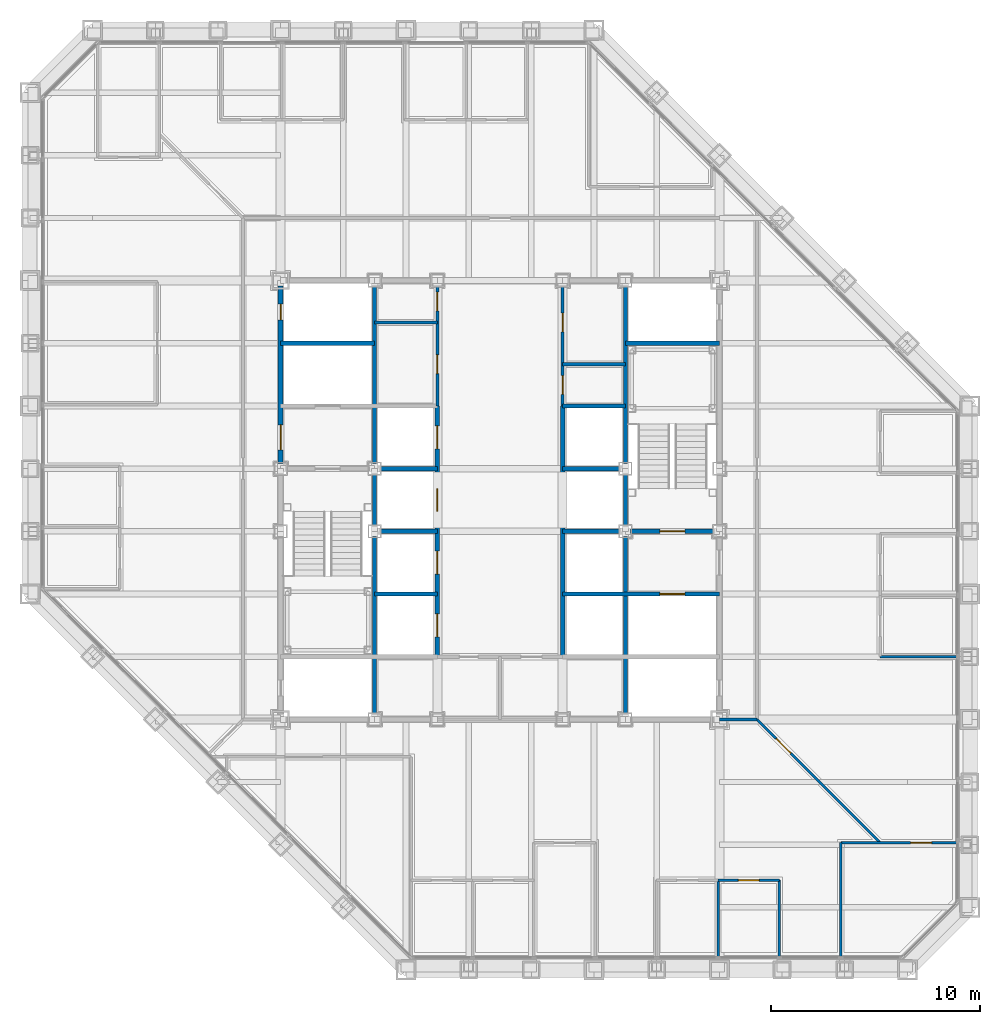
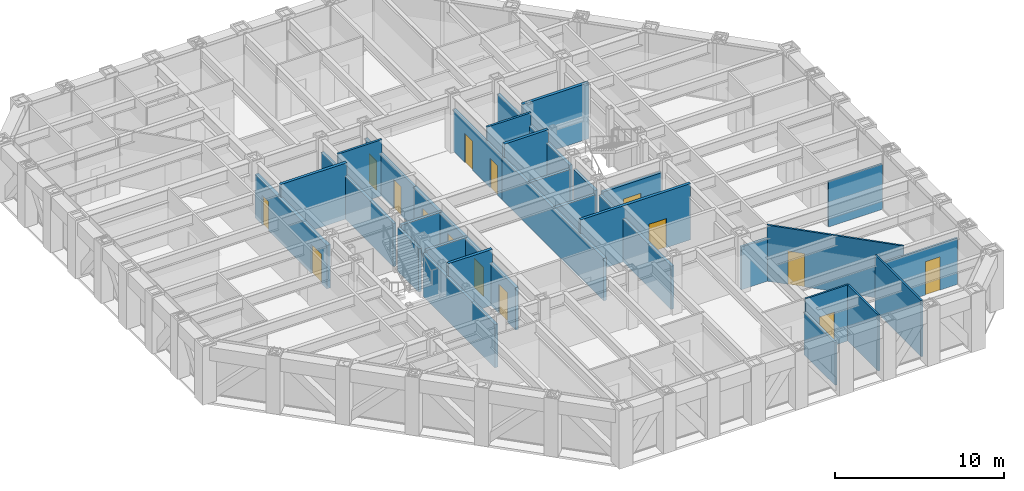
# One storey, part 11 of 17: 31 walls, 15 doors, 15 openings.
"""IFC4 building model written with IfcOpenShell, lengths in metres."""

import ifcopenshell
import ifcopenshell.guid

model = None  # the IFC model being written
_history = None  # IfcOwnerHistory: only IFC2X3 demands one
_inside = {}  # id of a spatial element -> (the spatial element, [elements in it])
_under = {}  # id of a project, library or spatial element -> (it, [spatial elements below it])
_declared = {}  # id of a project -> (the project, [libraries it declares])
_typed = {}  # id of a type object -> (the type object, [elements of that type])
_made_of = {}  # id of a material, layer set ... -> (it, [elements and type objects made of it])


def new_model(schema):
    """Start an empty IFC model of exactly this schema.

    Asked for "IFC4X3", IfcOpenShell would pick the latest addendum, in which some entities
    have other attributes; the version numbers below select the first issue.
    IFC2X3 requires an IfcOwnerHistory on every rooted entity: one is made here for all.
    """
    global model, _history
    if schema == "IFC4X3":
        model = ifcopenshell.file(schema_version=(4, 3, 0, 0))
    else:
        model = ifcopenshell.file(schema=schema)
    _inside.clear()
    _under.clear()
    _declared.clear()
    _typed.clear()
    _made_of.clear()
    _history = None
    if model.schema == "IFC2X3":
        org = make("IfcOrganization", Name="unknown")
        user = make(
            "IfcPersonAndOrganization",
            ThePerson=make("IfcPerson", FamilyName="unknown"),
            TheOrganization=org,
        )
        app = make(
            "IfcApplication",
            ApplicationDeveloper=org,
            Version="unknown",
            ApplicationFullName="unknown",
            ApplicationIdentifier="unknown",
        )
        _history = make(
            "IfcOwnerHistory",
            OwningUser=user,
            OwningApplication=app,
            ChangeAction="ADDED",
            CreationDate=0,
        )
    return model


def make(cls, **values):
    """One entity of the class cls with the attributes given. An attribute that is None is left unset."""
    return model.create_entity(
        cls, **{name: value for name, value in values.items() if value is not None}
    )


def rooted(cls, **values):
    """An entity with a GlobalId (a new one), such as an element, a storey or a relation."""
    return make(cls, GlobalId=ifcopenshell.guid.new(), OwnerHistory=_history, **values)


def si_unit(unit_type, name, prefix=None):
    """IfcSIUnit, for example si_unit("LENGTHUNIT", "METRE", prefix="MILLI")."""
    return make("IfcSIUnit", UnitType=unit_type, Prefix=prefix, Name=name)


def assignment(units):
    """IfcUnitAssignment: the units of a project."""
    return None if units is None else make("IfcUnitAssignment", Units=units)


def point(xyz):
    """IfcCartesianPoint."""
    return None if xyz is None else make("IfcCartesianPoint", Coordinates=xyz)


def direction(xyz):
    """IfcDirection."""
    return None if xyz is None else make("IfcDirection", DirectionRatios=xyz)


def frame(location, z_axis=None, x_axis=None):
    """IfcAxis2Placement3D, a coordinate frame: its origin and axes. An axis left out is left unset."""
    return make(
        "IfcAxis2Placement3D",
        Location=point(location),
        Axis=direction(z_axis),
        RefDirection=direction(x_axis),
    )


def frame_2d(location, x_axis=None):
    """IfcAxis2Placement2D, a coordinate frame in the plane: its origin and x axis."""
    return make(
        "IfcAxis2Placement2D", Location=point(location), RefDirection=direction(x_axis)
    )


def origin():
    """The frame at (0, 0, 0) with its axes left unset."""
    return frame((0.0, 0.0, 0.0))


def place(relative_to, where):
    """IfcLocalPlacement: puts the frame where relative to a parent placement (None: the world)."""
    return make(
        "IfcLocalPlacement", PlacementRelTo=relative_to, RelativePlacement=where
    )


def context(
    kind, dimensions, precision=None, world=None, true_north=None, identifier=None
):
    """IfcGeometricRepresentationContext, for example the 3D "Model" context."""
    return make(
        "IfcGeometricRepresentationContext",
        ContextIdentifier=identifier,
        ContextType=kind,
        CoordinateSpaceDimension=dimensions,
        Precision=precision,
        WorldCoordinateSystem=world,
        TrueNorth=true_north,
    )


def subcontext(parent, identifier, kind, view, scale=None):
    """IfcGeometricRepresentationSubContext, for example "Body" below "Model"."""
    return make(
        "IfcGeometricRepresentationSubContext",
        ContextIdentifier=identifier,
        ContextType=kind,
        ParentContext=parent,
        TargetScale=scale,
        TargetView=view,
    )


def project(units=None, contexts=None):
    """IfcProject with its units and contexts."""
    return rooted(
        "IfcProject",
        Name="project",
        RepresentationContexts=contexts,
        UnitsInContext=assignment(units),
    )


def spatial(cls, under=None, at=None, **own):
    """A site, building, storey or space (cls), placed at a placement, below another one or the project."""
    s = rooted(cls, ObjectPlacement=at, **own)
    if under is not None:
        _under.setdefault(under.id(), (under, []))[1].append(s)
    return s


def profile(cls, at=None, kind="AREA", **sizes):
    """A parametric profile (cls). Its sizes go by their IFC names, for example OverallWidth=200.0."""
    return make(cls, ProfileType=kind, Position=at, **sizes)


def rectangle(**sizes):
    """IfcRectangleProfileDef."""
    return profile("IfcRectangleProfileDef", **sizes)


def extrude(swept, where, along, depth):
    """IfcExtrudedAreaSolid: the profile swept, set in the frame where, extruded along a direction by depth."""
    return make(
        "IfcExtrudedAreaSolid",
        SweptArea=swept,
        Position=where,
        ExtrudedDirection=direction(along),
        Depth=depth,
    )


def shape(context_of_items, identifier, shape_type, items):
    """IfcShapeRepresentation: the items that make up one representation, for example the "Body"."""
    return make(
        "IfcShapeRepresentation",
        ContextOfItems=context_of_items,
        RepresentationIdentifier=identifier,
        RepresentationType=shape_type,
        Items=items,
    )


def material(Name=None, Category=None):
    """IfcMaterial."""
    return make("IfcMaterial", Name=Name, Category=Category)


def layer(
    of_material, thickness, ventilated=None, Name=None, Category=None, Priority=None
):
    """IfcMaterialLayer: one layer of a wall or slab, of a material (None: an air gap)."""
    return make(
        "IfcMaterialLayer",
        Material=of_material,
        LayerThickness=thickness,
        IsVentilated=ventilated,
        Name=Name,
        Category=Category,
        Priority=Priority,
    )


def layer_set(layers, Name=None):
    """IfcMaterialLayerSet."""
    return make("IfcMaterialLayerSet", MaterialLayers=layers, LayerSetName=Name)


def made_of(thing, what):
    """Note that an element or type object is made of a material, layer set ...; save() writes the relation."""
    if what is not None:
        _made_of.setdefault(what.id(), (what, []))[1].append(thing)
    return thing


def type_object(cls, material=None, **own):
    """A type object (cls), such as IfcWallType, which elements share."""
    return made_of(rooted(cls, **own), material)


def element(
    cls,
    number,
    at=None,
    inside=None,
    cuts=None,
    type_object=None,
    material=None,
    context=None,
    identifier="Body",
    shape_type=None,
    held_by="IfcProductDefinitionShape",
    body=None,
    shapes=None,
    **own,
):
    """One element of the class cls, such as IfcWall. Its Tag is "e" and its number.

    at: its placement. inside: the storey or other place that contains it. cuts: it is an
    opening in that element (IfcRelVoidsElement). A single representation is given by context,
    identifier, shape_type and body (its items); several are given by shapes. held_by: the class
    of the entity that holds the representations. save() writes the other relations.
    """
    e = rooted(cls, Tag="e%d" % number, ObjectPlacement=at, **own)
    if body is not None:
        shapes = [shape(context, identifier, shape_type, body)]
    if shapes is not None:
        e.Representation = make(held_by, Representations=shapes)
    if inside is not None:
        _inside.setdefault(inside.id(), (inside, []))[1].append(e)
    if cuts is not None:
        rooted(
            "IfcRelVoidsElement", RelatingBuildingElement=cuts, RelatedOpeningElement=e
        )
    if type_object is not None:
        _typed.setdefault(type_object.id(), (type_object, []))[1].append(e)
    return made_of(e, material)


def fill(opening, filler):
    """IfcRelFillsElement: the door or window that sits in an opening."""
    return rooted(
        "IfcRelFillsElement",
        RelatingOpeningElement=opening,
        RelatedBuildingElement=filler,
    )


def aggregate(whole, parts):
    """IfcRelAggregates: a whole, such as a stair, and the parts it consists of."""
    return rooted("IfcRelAggregates", RelatingObject=whole, RelatedObjects=parts)


def save(model, path):
    """Write the relations noted so far, then the file.

    IfcRelAggregates (storeys below a building ...), IfcRelContainedInSpatialStructure (elements
    in a storey), IfcRelDefinesByType, IfcRelAssociatesMaterial and IfcRelDeclares: one each for
    every whole, place, type object, material and project.
    """
    for whole, parts in _under.values():
        aggregate(whole, parts)
    for where, things in _inside.values():
        rooted(
            "IfcRelContainedInSpatialStructure",
            RelatedElements=things,
            RelatingStructure=where,
        )
    for kind, things in _typed.values():
        rooted("IfcRelDefinesByType", RelatedObjects=things, RelatingType=kind)
    for what, things in _made_of.values():
        rooted("IfcRelAssociatesMaterial", RelatedObjects=things, RelatingMaterial=what)
    for by, libraries in _declared.values():
        rooted("IfcRelDeclares", RelatingContext=by, RelatedDefinitions=libraries)
    model.write(path)


model = new_model("IFC4")

# Units and contexts
model_context = context("Model", 3, precision=1e-05, world=origin(), true_north=direction((0.0, 1.0)))
body_context = subcontext(model_context, "Body", "Model", "MODEL_VIEW")
ifc_project = project(units=[si_unit("LENGTHUNIT", "METRE"), si_unit("AREAUNIT", "SQUARE_METRE"), si_unit("VOLUMEUNIT", "CUBIC_METRE"), si_unit("PLANEANGLEUNIT", "RADIAN"), si_unit("MASSUNIT", "GRAM", prefix="KILO")], contexts=[model_context])

# Site, building, storey
site_placement = place(None, origin())
site = spatial("IfcSite", under=ifc_project, at=site_placement, CompositionType="ELEMENT")
building_placement = place(site_placement, origin())
building = spatial("IfcBuilding", under=site, at=building_placement, Name="Chuquiago Exchange Tower", CompositionType="ELEMENT")
storey_placement = place(building_placement, frame((0.0, 0.0, 169.800048828125)))
storey = spatial("IfcBuildingStorey", under=building, at=storey_placement, Name="L37", CompositionType="ELEMENT", Elevation=169.800048828125)

# Wall, openings, doors
ifc_material_1 = material(Name="Concrete masonry, fully grouted", Category="masonry")
ifc_layer_1 = layer(ifc_material_1, 0.25)
ifc_layer_set_1 = layer_set([ifc_layer_1], Name="W1 core wall 250")
wall_type_1 = type_object("IfcWallType", Name="W1 core wall 250", PredefinedType="SOLIDWALL", material=ifc_layer_set_1)
wall_1_placement = place(storey_placement, frame((12.0, 24.25, 0.0), z_axis=(0.0, 0.0, 1.0), x_axis=(0.0, 1.0, 0.0)))
wall_1 = element("IfcWall", 1, at=wall_1_placement, inside=storey, type_object=wall_type_1, Name="CW-L37-00-2", PredefinedType="SOLIDWALL", context=body_context, shape_type="SweptSolid", body=[
    extrude(rectangle(XDim=8.5, YDim=0.25, at=frame_2d((4.25, 0.0))), origin(), (0.0, 0.0, 1.0), 3.11279296875),
])
opening_1_placement = place(wall_1_placement, frame((0.64990234375, 0.0, 0.0)))
opening_1 = element("IfcOpeningElement", 2, at=opening_1_placement, cuts=wall_1, Name="Opening L37-002", PredefinedType="OPENING", context=body_context, shape_type="SweptSolid", body=[
    extrude(rectangle(XDim=1.199951171875, YDim=2.10009765625, at=frame_2d((0.60009765625, 1.050048828125))), frame((0.0, 0.135009765625, 0.0), z_axis=(0.0, -1.0, 0.0), x_axis=(1.0, 0.0, 0.0)), (0.0, 0.0, 1.0), 0.27001953125),
])
opening_2_placement = place(wall_1_placement, frame((6.875, 0.0, 0.0)))
opening_2 = element("IfcOpeningElement", 3, at=opening_2_placement, cuts=wall_1, Name="Opening L37-008", PredefinedType="OPENING", context=body_context, shape_type="SweptSolid", body=[
    extrude(rectangle(XDim=0.75, YDim=2.10009765625, at=frame_2d((0.375, 1.050048828125))), frame((0.0, 0.135009765625, 0.0), z_axis=(0.0, -1.0, 0.0), x_axis=(1.0, 0.0, 0.0)), (0.0, 0.0, 1.0), 0.27001953125),
])
ifc_material_2 = material(Name="Steel door, painted", Category="steel")
door_type_1 = type_object("IfcDoorType", Name="D5 firefighting lobby door 1200x2100", OperationType="SINGLE_SWING_LEFT", PredefinedType="DOOR", material=ifc_material_2)
door_1_placement = place(opening_1_placement, frame((1.199951171875, 0.0, 0.0), z_axis=(0.0, 0.0, 1.0), x_axis=(-1.0, 0.0, 0.0)))
door_1 = element("IfcDoor", 4, at=door_1_placement, inside=storey, type_object=door_type_1, Name="Firefighting lobby 1 door", OperationType="SINGLE_SWING_RIGHT", OverallHeight=2.10009765625, OverallWidth=1.199951171875, PredefinedType="DOOR", context=body_context, shape_type="SweptSolid", body=[
    extrude(rectangle(XDim=1.199951171875, YDim=2.10009765625, at=frame_2d((0.60009765625, 1.050048828125))), frame((0.0, 0.02490234375, 0.0), z_axis=(0.0, -1.0, 0.0), x_axis=(1.0, 0.0, 0.0)), (0.0, 0.0, 1.0), 0.050048828125),
])
fill(opening_1, door_1)
ifc_material_3 = material(Name="Steel door, painted", Category="steel")
door_type_2 = type_object("IfcDoorType", Name="D6 riser access door 750x2100", OperationType="SINGLE_SWING_LEFT", PredefinedType="DOOR", material=ifc_material_3)
door_2_placement = place(opening_2_placement, frame((0.75, 0.0, 0.0), z_axis=(0.0, 0.0, 1.0), x_axis=(-1.0, 0.0, 0.0)))
door_2 = element("IfcDoor", 5, at=door_2_placement, inside=storey, type_object=door_type_2, Name="Riser RW2 door", OperationType="SINGLE_SWING_LEFT", OverallHeight=2.10009765625, OverallWidth=0.75, PredefinedType="DOOR", context=body_context, shape_type="SweptSolid", body=[
    extrude(rectangle(XDim=0.75, YDim=2.10009765625, at=frame_2d((0.375, 1.050048828125))), frame((0.0, 0.02490234375, 0.0), z_axis=(0.0, -1.0, 0.0), x_axis=(1.0, 0.0, 0.0)), (0.0, 0.0, 1.0), 0.050048828125),
])
fill(opening_2, door_2)

# Walls
ifc_material_4 = material(Name="Gypsum board on steel studs, acoustic insulation", Category="steel")
ifc_layer_2 = layer(ifc_material_4, 0.14990234375)
ifc_layer_set_2 = layer_set([ifc_layer_2], Name="W11 corridor wall 150")
wall_type_2 = type_object("IfcWallType", Name="W11 corridor wall 150", PredefinedType="PARTITIONING", material=ifc_layer_set_2)
wall_2_placement = place(storey_placement, frame((33.0, 12.0, 0.0), z_axis=(0.0, 0.0, 1.0), x_axis=(1.0, 0.0, 0.0)))
element("IfcWall", 6, at=wall_2_placement, inside=storey, type_object=wall_type_2, Name="PW-L37-GES0", PredefinedType="PARTITIONING", context=body_context, shape_type="SweptSolid", body=[
    extrude(rectangle(XDim=1.800048828125, YDim=0.14990234375, at=frame_2d((0.89990234375, 0.0))), origin(), (0.0, 0.0, 1.0), 3.092529296875),
])
ifc_material_5 = material(Name="Concrete masonry, fully grouted", Category="masonry")
ifc_layer_3 = layer(ifc_material_5, 0.199951171875)
ifc_layer_set_3 = layer_set([ifc_layer_3], Name="W2 shaft wall 200")
wall_type_3 = type_object("IfcWallType", Name="W2 shaft wall 200", PredefinedType="SOLIDWALL", material=ifc_layer_set_3)
for number, where, z_axis, x_axis, name in (
    (7, (16.75, 24.0, 0.0), (0.0, 0.0, 1.0), (1.0, 0.0, 0.0), "CW-L37-05-1"),
    (8, (25.5, 24.0, 0.0), (0.0, 0.0, 1.0), (1.0, 0.0, 0.0), "CW-L37-06-0"),
):
    element("IfcWall", number, at=place(storey_placement, frame(where, z_axis=z_axis, x_axis=x_axis)), inside=storey, type_object=wall_type_3, Name=name, PredefinedType="SOLIDWALL", context=body_context, shape_type="SweptSolid", body=[
        extrude(rectangle(XDim=2.75, YDim=0.199951171875, at=frame_2d((1.375, 0.0))), origin(), (0.0, 0.0, 1.0), 3.08984375),
    ])
wall_3_placement = place(storey_placement, frame((25.5, 27.0, 0.0), z_axis=(0.0, 0.0, 1.0), x_axis=(1.0, 0.0, 0.0)))
element("IfcWall", 9, at=wall_3_placement, inside=storey, type_object=wall_type_3, Name="CW-L37-08-0", PredefinedType="SOLIDWALL", context=body_context, shape_type="SweptSolid", body=[
    extrude(rectangle(XDim=3.0, YDim=0.199951171875, at=frame_2d((1.5, 0.0))), origin(), (0.0, 0.0, 1.0), 4.0400390625),
])
for number, where, z_axis, x_axis, name in (
    (10, (12.0, 30.0, 0.0), (0.0, 0.0, 1.0), (1.0, 0.0, 0.0), "CW-L37-09-0"),
    (11, (28.5, 30.0, 0.0), (0.0, 0.0, 1.0), (1.0, 0.0, 0.0), "CW-L37-10-0"),
):
    element("IfcWall", number, at=place(storey_placement, frame(where, z_axis=z_axis, x_axis=x_axis)), inside=storey, type_object=wall_type_3, Name=name, PredefinedType="SOLIDWALL", context=body_context, shape_type="SweptSolid", body=[
        extrude(rectangle(XDim=4.5, YDim=0.199951171875, at=frame_2d((2.25, 0.0))), origin(), (0.0, 0.0, 1.0), 4.0400390625),
    ])
wall_4_placement = place(storey_placement, frame((16.5, 12.25, 0.0), z_axis=(0.0, 0.0, 1.0), x_axis=(0.0, 1.0, 0.0)))
element("IfcWall", 12, at=wall_4_placement, inside=storey, type_object=wall_type_3, Name="CW-L37-13-0", PredefinedType="SOLIDWALL", context=body_context, shape_type="SweptSolid", body=[
    extrude(rectangle(XDim=8.5, YDim=0.199951171875, at=frame_2d((4.25, 0.0))), origin(), (0.0, 0.0, 1.0), 3.11279296875),
])
wall_5_placement = place(storey_placement, frame((16.5, 21.25, 0.0), z_axis=(0.0, 0.0, 1.0), x_axis=(0.0, 1.0, 0.0)))
element("IfcWall", 13, at=wall_5_placement, inside=storey, type_object=wall_type_3, Name="CW-L37-13-1", PredefinedType="SOLIDWALL", context=body_context, shape_type="SweptSolid", body=[
    extrude(rectangle(XDim=2.5, YDim=0.199951171875, at=frame_2d((1.25, 0.0))), origin(), (0.0, 0.0, 1.0), 3.11279296875),
])
wall_6_placement = place(storey_placement, frame((16.5, 24.25, 0.0), z_axis=(0.0, 0.0, 1.0), x_axis=(0.0, 1.0, 0.0)))
element("IfcWall", 14, at=wall_6_placement, inside=storey, type_object=wall_type_3, Name="CW-L37-13-2", PredefinedType="SOLIDWALL", context=body_context, shape_type="SweptSolid", body=[
    extrude(rectangle(XDim=8.5, YDim=0.199951171875, at=frame_2d((4.25, 0.0))), origin(), (0.0, 0.0, 1.0), 3.11279296875),
])
wall_7_placement = place(storey_placement, frame((16.5, 18.0, 0.0), z_axis=(0.0, 0.0, 1.0), x_axis=(1.0, 0.0, 0.0)))
element("IfcWall", 15, at=wall_7_placement, inside=storey, type_object=wall_type_3, Name="CW-L37-14-0", PredefinedType="SOLIDWALL", context=body_context, shape_type="SweptSolid", body=[
    extrude(rectangle(XDim=3.0, YDim=0.199951171875, at=frame_2d((1.5, 0.0))), origin(), (0.0, 0.0, 1.0), 4.0400390625),
])

# Wall, opening, door
wall_8_placement = place(storey_placement, frame((25.5, 18.0, 0.0), z_axis=(0.0, 0.0, 1.0), x_axis=(1.0, 0.0, 0.0)))
wall_8 = element("IfcWall", 16, at=wall_8_placement, inside=storey, type_object=wall_type_3, Name="CW-L37-15-0", PredefinedType="SOLIDWALL", context=body_context, shape_type="SweptSolid", body=[
    extrude(rectangle(XDim=7.5, YDim=0.199951171875, at=frame_2d((3.75, 0.0))), origin(), (0.0, 0.0, 1.0), 4.0400390625),
])
opening_3_placement = place(wall_8_placement, frame((4.64990234375, 0.0, 0.0)))
opening_3 = element("IfcOpeningElement", 17, at=opening_3_placement, cuts=wall_8, Name="Opening L37-006", PredefinedType="OPENING", context=body_context, shape_type="SweptSolid", body=[
    extrude(rectangle(XDim=1.199951171875, YDim=2.10009765625, at=frame_2d((0.60009765625, 1.050048828125))), frame((0.0, 0.10986328125, 0.0), z_axis=(0.0, -1.0, 0.0), x_axis=(1.0, 0.0, 0.0)), (0.0, 0.0, 1.0), 0.219970703125),
])
ifc_material_6 = material(Name="Stainless steel lift landing door", Category="steel")
door_type_3 = type_object("IfcDoorType", Name="LD2 firefighting lift landing door 1200x2100", OperationType="DOUBLE_DOOR_SLIDING", PredefinedType="DOOR", material=ifc_material_6)
door_3_placement = place(opening_3_placement, origin())
door_3 = element("IfcDoor", 18, at=door_3_placement, inside=storey, type_object=door_type_3, Name="Firefighting lift FL2 landing door", OperationType="DOUBLE_DOOR_SLIDING", OverallHeight=2.10009765625, OverallWidth=1.199951171875, PredefinedType="DOOR", context=body_context, shape_type="SweptSolid", body=[
    extrude(rectangle(XDim=1.199951171875, YDim=2.10009765625, at=frame_2d((0.60009765625, 1.050048828125))), frame((0.0, 0.02490234375, 0.0), z_axis=(0.0, -1.0, 0.0), x_axis=(1.0, 0.0, 0.0)), (0.0, 0.0, 1.0), 0.050048828125),
])
fill(opening_3, door_3)

# Walls
for number, where, z_axis, x_axis, name in (
    (19, (16.75, 21.0, 0.0), (0.0, 0.0, 1.0), (1.0, 0.0, 0.0), "CW-L37-16-0"),
    (20, (25.5, 21.0, 0.0), (0.0, 0.0, 1.0), (1.0, 0.0, 0.0), "CW-L37-17-0"),
):
    element("IfcWall", number, at=place(storey_placement, frame(where, z_axis=z_axis, x_axis=x_axis)), inside=storey, type_object=wall_type_3, Name=name, PredefinedType="SOLIDWALL", context=body_context, shape_type="SweptSolid", body=[
        extrude(rectangle(XDim=2.75, YDim=0.199951171875, at=frame_2d((1.375, 0.0))), origin(), (0.0, 0.0, 1.0), 3.08984375),
    ])

# Wall, opening, door
wall_9_placement = place(storey_placement, frame((28.75, 21.0, 0.0), z_axis=(0.0, 0.0, 1.0), x_axis=(1.0, 0.0, 0.0)))
wall_9 = element("IfcWall", 21, at=wall_9_placement, inside=storey, type_object=wall_type_3, Name="CW-L37-17-1", PredefinedType="SOLIDWALL", context=body_context, shape_type="SweptSolid", body=[
    extrude(rectangle(XDim=4.0, YDim=0.199951171875, at=frame_2d((2.0, 0.0))), origin(), (0.0, 0.0, 1.0), 3.08984375),
])
opening_4_placement = place(wall_9_placement, frame((1.39990234375, 0.0, 0.0)))
opening_4 = element("IfcOpeningElement", 22, at=opening_4_placement, cuts=wall_9, Name="Opening L37-003", PredefinedType="OPENING", context=body_context, shape_type="SweptSolid", body=[
    extrude(rectangle(XDim=1.199951171875, YDim=2.10009765625, at=frame_2d((0.60009765625, 1.050048828125))), frame((0.0, 0.10986328125, 0.0), z_axis=(0.0, -1.0, 0.0), x_axis=(1.0, 0.0, 0.0)), (0.0, 0.0, 1.0), 0.219970703125),
])
ifc_material_7 = material(Name="Steel door, painted", Category="steel")
door_type_4 = type_object("IfcDoorType", Name="D4 stair door 1200x2100", OperationType="SINGLE_SWING_LEFT", PredefinedType="DOOR", material=ifc_material_7)
door_4_placement = place(opening_4_placement, origin())
door_4 = element("IfcDoor", 23, at=door_4_placement, inside=storey, type_object=door_type_4, Name="Stair ST2 door", OperationType="SINGLE_SWING_LEFT", OverallHeight=2.10009765625, OverallWidth=1.199951171875, PredefinedType="DOOR", context=body_context, shape_type="SweptSolid", body=[
    extrude(rectangle(XDim=1.199951171875, YDim=2.10009765625, at=frame_2d((0.60009765625, 1.050048828125))), frame((0.0, 0.02490234375, 0.0), z_axis=(0.0, -1.0, 0.0), x_axis=(1.0, 0.0, 0.0)), (0.0, 0.0, 1.0), 0.050048828125),
])
fill(opening_4, door_4)

# Wall, openings, doors
wall_10_placement = place(storey_placement, frame((19.5, 15.0, 0.0), z_axis=(0.0, 0.0, 1.0), x_axis=(0.0, 1.0, 0.0)))
wall_10 = element("IfcWall", 24, at=wall_10_placement, inside=storey, type_object=wall_type_3, Name="CW-L37-19-0", PredefinedType="SOLIDWALL", context=body_context, shape_type="SweptSolid", body=[
    extrude(rectangle(XDim=12.0, YDim=0.199951171875, at=frame_2d((6.0, 0.0))), origin(), (0.0, 0.0, 1.0), 3.064453125),
])
opening_5_placement = place(wall_10_placement, frame((0.949951171875, 0.0, 0.0)))
opening_5 = element("IfcOpeningElement", 25, at=opening_5_placement, cuts=wall_10, Name="Opening L37-017", PredefinedType="OPENING", context=body_context, shape_type="SweptSolid", body=[
    extrude(rectangle(XDim=1.10009765625, YDim=2.10009765625, at=frame_2d((0.550048828125, 1.050048828125))), frame((0.0, 0.10986328125, 0.0), z_axis=(0.0, -1.0, 0.0), x_axis=(1.0, 0.0, 0.0)), (0.0, 0.0, 1.0), 0.219970703125),
])
opening_6_placement = place(wall_10_placement, frame((3.949951171875, 0.0, 0.0)))
opening_6 = element("IfcOpeningElement", 26, at=opening_6_placement, cuts=wall_10, Name="Opening L37-018", PredefinedType="OPENING", context=body_context, shape_type="SweptSolid", body=[
    extrude(rectangle(XDim=1.10009765625, YDim=2.10009765625, at=frame_2d((0.550048828125, 1.050048828125))), frame((0.0, 0.10986328125, 0.0), z_axis=(0.0, -1.0, 0.0), x_axis=(1.0, 0.0, 0.0)), (0.0, 0.0, 1.0), 0.219970703125),
])
opening_7_placement = place(wall_10_placement, frame((6.949951171875, 0.0, 0.0)))
opening_7 = element("IfcOpeningElement", 27, at=opening_7_placement, cuts=wall_10, Name="Opening L37-019", PredefinedType="OPENING", context=body_context, shape_type="SweptSolid", body=[
    extrude(rectangle(XDim=1.10009765625, YDim=2.10009765625, at=frame_2d((0.550048828125, 1.050048828125))), frame((0.0, 0.10986328125, 0.0), z_axis=(0.0, -1.0, 0.0), x_axis=(1.0, 0.0, 0.0)), (0.0, 0.0, 1.0), 0.219970703125),
])
opening_8_placement = place(wall_10_placement, frame((9.949951171875, 0.0, 0.0)))
opening_8 = element("IfcOpeningElement", 28, at=opening_8_placement, cuts=wall_10, Name="Opening L37-020", PredefinedType="OPENING", context=body_context, shape_type="SweptSolid", body=[
    extrude(rectangle(XDim=1.10009765625, YDim=2.10009765625, at=frame_2d((0.550048828125, 1.050048828125))), frame((0.0, 0.10986328125, 0.0), z_axis=(0.0, -1.0, 0.0), x_axis=(1.0, 0.0, 0.0)), (0.0, 0.0, 1.0), 0.219970703125),
])
ifc_material_8 = material(Name="Stainless steel lift landing door", Category="steel")
door_type_5 = type_object("IfcDoorType", Name="LD1 lift landing door 1100x2100", OperationType="DOUBLE_DOOR_SLIDING", PredefinedType="DOOR", material=ifc_material_8)
door_5_placement = place(opening_5_placement, origin())
door_5 = element("IfcDoor", 29, at=door_5_placement, inside=storey, type_object=door_type_5, Name="Lift LB1 landing door", OperationType="DOUBLE_DOOR_SLIDING", OverallHeight=2.10009765625, OverallWidth=1.10009765625, PredefinedType="DOOR", context=body_context, shape_type="SweptSolid", body=[
    extrude(rectangle(XDim=1.10009765625, YDim=2.10009765625, at=frame_2d((0.550048828125, 1.050048828125))), frame((0.0, 0.02490234375, 0.0), z_axis=(0.0, -1.0, 0.0), x_axis=(1.0, 0.0, 0.0)), (0.0, 0.0, 1.0), 0.050048828125),
])
fill(opening_5, door_5)
door_6_placement = place(opening_6_placement, origin())
door_6 = element("IfcDoor", 30, at=door_6_placement, inside=storey, type_object=door_type_5, Name="Lift LB2 landing door", OperationType="DOUBLE_DOOR_SLIDING", OverallHeight=2.10009765625, OverallWidth=1.10009765625, PredefinedType="DOOR", context=body_context, shape_type="SweptSolid", body=[
    extrude(rectangle(XDim=1.10009765625, YDim=2.10009765625, at=frame_2d((0.550048828125, 1.050048828125))), frame((0.0, 0.02490234375, 0.0), z_axis=(0.0, -1.0, 0.0), x_axis=(1.0, 0.0, 0.0)), (0.0, 0.0, 1.0), 0.050048828125),
])
fill(opening_6, door_6)
door_7_placement = place(opening_7_placement, origin())
door_7 = element("IfcDoor", 31, at=door_7_placement, inside=storey, type_object=door_type_5, Name="Lift LB3 landing door", OperationType="DOUBLE_DOOR_SLIDING", OverallHeight=2.10009765625, OverallWidth=1.10009765625, PredefinedType="DOOR", context=body_context, shape_type="SweptSolid", body=[
    extrude(rectangle(XDim=1.10009765625, YDim=2.10009765625, at=frame_2d((0.550048828125, 1.050048828125))), frame((0.0, 0.02490234375, 0.0), z_axis=(0.0, -1.0, 0.0), x_axis=(1.0, 0.0, 0.0)), (0.0, 0.0, 1.0), 0.050048828125),
])
fill(opening_7, door_7)
door_8_placement = place(opening_8_placement, origin())
door_8 = element("IfcDoor", 32, at=door_8_placement, inside=storey, type_object=door_type_5, Name="Lift LB4 landing door", OperationType="DOUBLE_DOOR_SLIDING", OverallHeight=2.10009765625, OverallWidth=1.10009765625, PredefinedType="DOOR", context=body_context, shape_type="SweptSolid", body=[
    extrude(rectangle(XDim=1.10009765625, YDim=2.10009765625, at=frame_2d((0.550048828125, 1.050048828125))), frame((0.0, 0.02490234375, 0.0), z_axis=(0.0, -1.0, 0.0), x_axis=(1.0, 0.0, 0.0)), (0.0, 0.0, 1.0), 0.050048828125),
])
fill(opening_8, door_8)

# Walls
wall_11_placement = place(storey_placement, frame((25.5, 15.0, 0.0), z_axis=(0.0, 0.0, 1.0), x_axis=(0.0, 1.0, 0.0)))
element("IfcWall", 33, at=wall_11_placement, inside=storey, type_object=wall_type_3, Name="CW-L37-22-0", PredefinedType="SOLIDWALL", context=body_context, shape_type="SweptSolid", body=[
    extrude(rectangle(XDim=12.0, YDim=0.199951171875, at=frame_2d((6.0, 0.0))), origin(), (0.0, 0.0, 1.0), 3.064453125),
])
wall_12_placement = place(storey_placement, frame((28.5, 12.25, 0.0), z_axis=(0.0, 0.0, 1.0), x_axis=(0.0, 1.0, 0.0)))
element("IfcWall", 34, at=wall_12_placement, inside=storey, type_object=wall_type_3, Name="CW-L37-24-0", PredefinedType="SOLIDWALL", context=body_context, shape_type="SweptSolid", body=[
    extrude(rectangle(XDim=8.5, YDim=0.199951171875, at=frame_2d((4.25, 0.0))), origin(), (0.0, 0.0, 1.0), 3.11279296875),
])
wall_13_placement = place(storey_placement, frame((28.5, 21.25, 0.0), z_axis=(0.0, 0.0, 1.0), x_axis=(0.0, 1.0, 0.0)))
element("IfcWall", 35, at=wall_13_placement, inside=storey, type_object=wall_type_3, Name="CW-L37-24-1", PredefinedType="SOLIDWALL", context=body_context, shape_type="SweptSolid", body=[
    extrude(rectangle(XDim=2.5, YDim=0.199951171875, at=frame_2d((1.25, 0.0))), origin(), (0.0, 0.0, 1.0), 3.11279296875),
])
wall_14_placement = place(storey_placement, frame((28.5, 24.25, 0.0), z_axis=(0.0, 0.0, 1.0), x_axis=(0.0, 1.0, 0.0)))
element("IfcWall", 36, at=wall_14_placement, inside=storey, type_object=wall_type_3, Name="CW-L37-24-2", PredefinedType="SOLIDWALL", context=body_context, shape_type="SweptSolid", body=[
    extrude(rectangle(XDim=8.5, YDim=0.199951171875, at=frame_2d((4.25, 0.0))), origin(), (0.0, 0.0, 1.0), 3.11279296875),
])

# Wall, openings, doors
ifc_material_9 = material(Name="Gypsum board on steel studs", Category="steel")
ifc_layer_4 = layer(ifc_material_9, 0.14990234375)
ifc_layer_set_4 = layer_set([ifc_layer_4], Name="W3 core partition 150")
wall_type_4 = type_object("IfcWallType", Name="W3 core partition 150", PredefinedType="PARTITIONING", material=ifc_layer_set_4)
wall_15_placement = place(storey_placement, frame((19.5, 27.0, 0.0), z_axis=(0.0, 0.0, 1.0), x_axis=(0.0, 1.0, 0.0)))
wall_15 = element("IfcWall", 37, at=wall_15_placement, inside=storey, type_object=wall_type_4, Name="CW-L37-20-0", PredefinedType="PARTITIONING", context=body_context, shape_type="SweptSolid", body=[
    extrude(rectangle(XDim=5.75, YDim=0.14990234375, at=frame_2d((2.875, 0.0))), origin(), (0.0, 0.0, 1.0), 3.064453125),
])
opening_9_placement = place(wall_15_placement, frame((1.550048828125, 0.0, 0.0)))
opening_9 = element("IfcOpeningElement", 38, at=opening_9_placement, cuts=wall_15, Name="Opening L37-011", PredefinedType="OPENING", context=body_context, shape_type="SweptSolid", body=[
    extrude(rectangle(XDim=0.89990234375, YDim=2.10009765625, at=frame_2d((0.449951171875, 1.050048828125))), frame((0.0, 0.0849609375, 0.0), z_axis=(0.0, -1.0, 0.0), x_axis=(1.0, 0.0, 0.0)), (0.0, 0.0, 1.0), 0.169921875),
])
opening_10_placement = place(wall_15_placement, frame((4.550048828125, 0.0, 0.0)))
opening_10 = element("IfcOpeningElement", 39, at=opening_10_placement, cuts=wall_15, Name="Opening L37-012", PredefinedType="OPENING", context=body_context, shape_type="SweptSolid", body=[
    extrude(rectangle(XDim=0.89990234375, YDim=2.10009765625, at=frame_2d((0.449951171875, 1.050048828125))), frame((0.0, 0.0849609375, 0.0), z_axis=(0.0, -1.0, 0.0), x_axis=(1.0, 0.0, 0.0)), (0.0, 0.0, 1.0), 0.169921875),
])
ifc_material_10 = material(Name="Timber door, laminate faced", Category="wood")
door_type_6 = type_object("IfcDoorType", Name="D16 core room door 900x2100", OperationType="SINGLE_SWING_LEFT", PredefinedType="DOOR", material=ifc_material_10)
door_9_placement = place(opening_10_placement, origin())
door_9 = element("IfcDoor", 40, at=door_9_placement, inside=storey, type_object=door_type_6, Name="Staff shower room door", OperationType="SINGLE_SWING_RIGHT", OverallHeight=2.10009765625, OverallWidth=0.89990234375, PredefinedType="DOOR", context=body_context, shape_type="SweptSolid", body=[
    extrude(rectangle(XDim=0.89990234375, YDim=2.10009765625, at=frame_2d((0.449951171875, 1.050048828125))), frame((0.0, 0.02490234375, 0.0), z_axis=(0.0, -1.0, 0.0), x_axis=(1.0, 0.0, 0.0)), (0.0, 0.0, 1.0), 0.050048828125),
])
fill(opening_10, door_9)
ifc_material_11 = material(Name="Timber door, laminate faced", Category="wood")
door_type_7 = type_object("IfcDoorType", Name="D7 toilet door 900x2100", OperationType="SINGLE_SWING_LEFT", PredefinedType="DOOR", material=ifc_material_11)
door_10_placement = place(opening_9_placement, origin())
door_10 = element("IfcDoor", 41, at=door_10_placement, inside=storey, type_object=door_type_7, Name="Male WC door", OperationType="SINGLE_SWING_LEFT", OverallHeight=2.10009765625, OverallWidth=0.89990234375, PredefinedType="DOOR", context=body_context, shape_type="SweptSolid", body=[
    extrude(rectangle(XDim=0.89990234375, YDim=2.10009765625, at=frame_2d((0.449951171875, 1.050048828125))), frame((0.0, 0.02490234375, 0.0), z_axis=(0.0, -1.0, 0.0), x_axis=(1.0, 0.0, 0.0)), (0.0, 0.0, 1.0), 0.050048828125),
])
fill(opening_9, door_10)

wall_16_placement = place(storey_placement, frame((25.5, 27.0, 0.0), z_axis=(0.0, 0.0, 1.0), x_axis=(0.0, 1.0, 0.0)))
wall_16 = element("IfcWall", 42, at=wall_16_placement, inside=storey, type_object=wall_type_4, Name="CW-L37-23-0", PredefinedType="PARTITIONING", context=body_context, shape_type="SweptSolid", body=[
    extrude(rectangle(XDim=5.75, YDim=0.14990234375, at=frame_2d((2.875, 0.0))), origin(), (0.0, 0.0, 1.0), 3.064453125),
])
opening_11_placement = place(wall_16_placement, frame((0.550048828125, 0.0, 0.0)))
opening_11 = element("IfcOpeningElement", 43, at=opening_11_placement, cuts=wall_16, Name="Opening L37-013", PredefinedType="OPENING", context=body_context, shape_type="SweptSolid", body=[
    extrude(rectangle(XDim=0.89990234375, YDim=2.10009765625, at=frame_2d((0.449951171875, 1.050048828125))), frame((0.0, 0.0849609375, 0.0), z_axis=(0.0, -1.0, 0.0), x_axis=(1.0, 0.0, 0.0)), (0.0, 0.0, 1.0), 0.169921875),
])
opening_12_placement = place(wall_16_placement, frame((3.550048828125, 0.0, 0.0)))
opening_12 = element("IfcOpeningElement", 44, at=opening_12_placement, cuts=wall_16, Name="Opening L37-014", PredefinedType="OPENING", context=body_context, shape_type="SweptSolid", body=[
    extrude(rectangle(XDim=0.89990234375, YDim=2.10009765625, at=frame_2d((0.449951171875, 1.050048828125))), frame((0.0, 0.0849609375, 0.0), z_axis=(0.0, -1.0, 0.0), x_axis=(1.0, 0.0, 0.0)), (0.0, 0.0, 1.0), 0.169921875),
])
door_11_placement = place(opening_11_placement, frame((0.89990234375, 0.0, 0.0), z_axis=(0.0, 0.0, 1.0), x_axis=(-1.0, 0.0, 0.0)))
door_11 = element("IfcDoor", 45, at=door_11_placement, inside=storey, type_object=door_type_6, Name="First aid room door", OperationType="SINGLE_SWING_RIGHT", OverallHeight=2.10009765625, OverallWidth=0.89990234375, PredefinedType="DOOR", context=body_context, shape_type="SweptSolid", body=[
    extrude(rectangle(XDim=0.89990234375, YDim=2.10009765625, at=frame_2d((0.449951171875, 1.050048828125))), frame((0.0, 0.02490234375, 0.0), z_axis=(0.0, -1.0, 0.0), x_axis=(1.0, 0.0, 0.0)), (0.0, 0.0, 1.0), 0.050048828125),
])
fill(opening_11, door_11)
door_12_placement = place(opening_12_placement, frame((0.89990234375, 0.0, 0.0), z_axis=(0.0, 0.0, 1.0), x_axis=(-1.0, 0.0, 0.0)))
door_12 = element("IfcDoor", 46, at=door_12_placement, inside=storey, type_object=door_type_7, Name="Female WC door", OperationType="SINGLE_SWING_LEFT", OverallHeight=2.10009765625, OverallWidth=0.89990234375, PredefinedType="DOOR", context=body_context, shape_type="SweptSolid", body=[
    extrude(rectangle(XDim=0.89990234375, YDim=2.10009765625, at=frame_2d((0.449951171875, 1.050048828125))), frame((0.0, 0.02490234375, 0.0), z_axis=(0.0, -1.0, 0.0), x_axis=(1.0, 0.0, 0.0)), (0.0, 0.0, 1.0), 0.050048828125),
])
fill(opening_12, door_12)

# Walls
for number, where, z_axis, x_axis, name in (
    (47, (16.5, 31.0, 0.0), (0.0, 0.0, 1.0), (1.0, 0.0, 0.0), "CW-L37-WCMS"),
    (48, (25.5, 29.0, 0.0), (0.0, 0.0, 1.0), (1.0, 0.0, 0.0), "CW-L37-WCFS"),
):
    element("IfcWall", number, at=place(storey_placement, frame(where, z_axis=z_axis, x_axis=x_axis)), inside=storey, type_object=wall_type_4, Name=name, PredefinedType="PARTITIONING", context=body_context, shape_type="SweptSolid", body=[
        extrude(rectangle(XDim=3.0, YDim=0.14990234375, at=frame_2d((1.5, 0.0))), origin(), (0.0, 0.0, 1.0), 4.0400390625),
    ])
ifc_material_12 = material(Name="Gypsum board on steel studs", Category="steel")
ifc_layer_5 = layer(ifc_material_12, 0.1201171875)
ifc_layer_set_5 = layer_set([ifc_layer_5], Name="W4 partition 120")
wall_type_5 = type_object("IfcWallType", Name="W4 partition 120", PredefinedType="PARTITIONING", material=ifc_layer_set_5)
wall_17_placement = place(storey_placement, frame((32.93798828125, 0.652587890625, 0.0), z_axis=(0.0, 0.0, 1.0), x_axis=(0.0, 1.0, 0.0)))
element("IfcWall", 49, at=wall_17_placement, inside=storey, type_object=wall_type_5, Name="PW-L37-S03294", PredefinedType="PARTITIONING", context=body_context, shape_type="SweptSolid", body=[
    extrude(rectangle(XDim=3.6474609375, YDim=0.1201171875, at=frame_2d((1.82373046875, 0.0))), origin(), (0.0, 0.0, 1.0), 3.092529296875),
])
wall_18_placement = place(storey_placement, frame((35.875732421875, 0.652587890625, 0.0), z_axis=(0.0, 0.0, 1.0), x_axis=(0.0, 1.0, 0.0)))
element("IfcWall", 50, at=wall_18_placement, inside=storey, type_object=wall_type_5, Name="PW-L37-S03588", PredefinedType="PARTITIONING", context=body_context, shape_type="SweptSolid", body=[
    extrude(rectangle(XDim=3.6474609375, YDim=0.1201171875, at=frame_2d((1.82373046875, 0.0))), origin(), (0.0, 0.0, 1.0), 4.0400390625),
])
wall_19_placement = place(storey_placement, frame((38.813720703125, 0.652587890625, 0.0), z_axis=(0.0, 0.0, 1.0), x_axis=(0.0, 1.0, 0.0)))
element("IfcWall", 51, at=wall_19_placement, inside=storey, type_object=wall_type_5, Name="PW-L37-S03881", PredefinedType="PARTITIONING", context=body_context, shape_type="SweptSolid", body=[
    extrude(rectangle(XDim=5.447509765625, YDim=0.1201171875, at=frame_2d((2.7236328125, 0.0))), origin(), (0.0, 0.0, 1.0), 4.0400390625),
])

# Wall, opening, door
wall_20_placement = place(storey_placement, frame((32.93798828125, 4.300048828125, 0.0), z_axis=(0.0, 0.0, 1.0), x_axis=(1.0, 0.0, 0.0)))
wall_20 = element("IfcWall", 52, at=wall_20_placement, inside=storey, type_object=wall_type_5, Name="PW-L37-SF03294", PredefinedType="PARTITIONING", context=body_context, shape_type="SweptSolid", body=[
    extrude(rectangle(XDim=2.937744140625, YDim=0.1201171875, at=frame_2d((1.46875, 0.0))), origin(), (0.0, 0.0, 1.0), 4.0400390625),
])
opening_13_placement = place(wall_20_placement, frame((0.968994140625, 0.0, 0.0)))
opening_13 = element("IfcOpeningElement", 53, at=opening_13_placement, cuts=wall_20, Name="Opening L37-026", PredefinedType="OPENING", context=body_context, shape_type="SweptSolid", body=[
    extrude(rectangle(XDim=1.0, YDim=2.39990234375, at=frame_2d((0.5, 1.199951171875))), frame((0.0, 0.070068359375, 0.0), z_axis=(0.0, -1.0, 0.0), x_axis=(1.0, 0.0, 0.0)), (0.0, 0.0, 1.0), 0.14013671875),
])
ifc_material_13 = material(Name="Timber frame door, full height glazed panel", Category="wood")
door_type_8 = type_object("IfcDoorType", Name="D14 glazed meeting room door 1000x2400", OperationType="SINGLE_SWING_LEFT", PredefinedType="DOOR", material=ifc_material_13)
door_13_placement = place(opening_13_placement, frame((1.0, 0.0, 0.0), z_axis=(0.0, 0.0, 1.0), x_axis=(-1.0, 0.0, 0.0)))
door_13 = element("IfcDoor", 54, at=door_13_placement, inside=storey, type_object=door_type_8, Name="Focus room door", OperationType="SINGLE_SWING_RIGHT", OverallHeight=2.39990234375, OverallWidth=1.0, PredefinedType="DOOR", context=body_context, shape_type="SweptSolid", body=[
    extrude(rectangle(XDim=1.0, YDim=2.39990234375, at=frame_2d((0.5, 1.199951171875))), frame((0.0, 0.02490234375, 0.0), z_axis=(0.0, -1.0, 0.0), x_axis=(1.0, 0.0, 0.0)), (0.0, 0.0, 1.0), 0.050048828125),
])
fill(opening_13, door_13)

wall_21_placement = place(storey_placement, frame((38.813720703125, 6.10009765625, 0.0), z_axis=(0.0, 0.0, 1.0), x_axis=(1.0, 0.0, 0.0)))
wall_21 = element("IfcWall", 55, at=wall_21_placement, inside=storey, type_object=wall_type_5, Name="PW-L37-SF03881", PredefinedType="PARTITIONING", context=body_context, shape_type="SweptSolid", body=[
    extrude(rectangle(XDim=5.53369140625, YDim=0.1201171875, at=frame_2d((2.766845703125, 0.0))), origin(), (0.0, 0.0, 1.0), 3.346435546875),
])
opening_14_placement = place(wall_21_placement, frame((3.340576171875, 0.0, 0.0)))
opening_14 = element("IfcOpeningElement", 56, at=opening_14_placement, cuts=wall_21, Name="Opening L37-027", PredefinedType="OPENING", context=body_context, shape_type="SweptSolid", body=[
    extrude(rectangle(XDim=1.0, YDim=2.39990234375, at=frame_2d((0.5, 1.199951171875))), frame((0.0, 0.070068359375, 0.0), z_axis=(0.0, -1.0, 0.0), x_axis=(1.0, 0.0, 0.0)), (0.0, 0.0, 1.0), 0.14013671875),
])
door_14_placement = place(opening_14_placement, frame((1.0, 0.0, 0.0), z_axis=(0.0, 0.0, 1.0), x_axis=(-1.0, 0.0, 0.0)))
door_14 = element("IfcDoor", 57, at=door_14_placement, inside=storey, type_object=door_type_8, Name="Meeting room door", OperationType="SINGLE_SWING_LEFT", OverallHeight=2.39990234375, OverallWidth=1.0, PredefinedType="DOOR", context=body_context, shape_type="SweptSolid", body=[
    extrude(rectangle(XDim=1.0, YDim=2.39990234375, at=frame_2d((0.5, 1.199951171875))), frame((0.0, 0.02490234375, 0.0), z_axis=(0.0, -1.0, 0.0), x_axis=(1.0, 0.0, 0.0)), (0.0, 0.0, 1.0), 0.050048828125),
])
fill(opening_14, door_14)

# Wall
wall_22_placement = place(storey_placement, frame((44.347412109375, 15.0, 0.0), z_axis=(0.0, 0.0, 1.0), x_axis=(-1.0, 0.0, 0.0)))
element("IfcWall", 58, at=wall_22_placement, inside=storey, type_object=wall_type_5, Name="PW-L37-E01500", PredefinedType="PARTITIONING", context=body_context, shape_type="SweptSolid", body=[
    extrude(rectangle(XDim=3.6474609375, YDim=0.1201171875, at=frame_2d((1.82373046875, 0.0))), origin(), (0.0, 0.0, 1.0), 3.27783203125),
])

# Wall, opening, door
wall_23_placement = place(storey_placement, frame((34.800048828125, 12.0, 0.0), z_axis=(0.0, 0.0, 1.0), x_axis=(0.707106781187, -0.707106781187, 0.0)))
wall_23 = element("IfcWall", 59, at=wall_23_placement, inside=storey, type_object=wall_type_5, Name="PW-L37-QSE", PredefinedType="PARTITIONING", context=body_context, shape_type="SweptSolid", body=[
    extrude(rectangle(XDim=8.34521484375, YDim=0.1201171875, at=frame_2d((4.172607421875, 0.0))), origin(), (0.0, 0.0, 1.0), 4.0400390625),
])
opening_15_placement = place(wall_23_placement, frame((1.300048828125, 0.0, 0.0)))
opening_15 = element("IfcOpeningElement", 60, at=opening_15_placement, cuts=wall_23, Name="Opening L37-045", PredefinedType="OPENING", context=body_context, shape_type="SweptSolid", body=[
    extrude(rectangle(XDim=1.0, YDim=2.39990234375, at=frame_2d((0.5, 1.199951171875))), frame((0.0, 0.070068359375, 0.0), z_axis=(0.0, -1.0, 0.0), x_axis=(1.0, 0.0, 0.0)), (0.0, 0.0, 1.0), 0.14013671875),
])
ifc_material_14 = material(Name="Timber door, laminate faced", Category="wood")
door_type_9 = type_object("IfcDoorType", Name="D9 room door 1000x2400", OperationType="SINGLE_SWING_LEFT", PredefinedType="DOOR", material=ifc_material_14)
door_15_placement = place(opening_15_placement, frame((1.0, 0.0, 0.0), z_axis=(0.0, 0.0, 1.0), x_axis=(-1.0, 0.0, 0.0)))
door_15 = element("IfcDoor", 61, at=door_15_placement, inside=storey, type_object=door_type_9, Name="Team area door", OperationType="SINGLE_SWING_RIGHT", OverallHeight=2.39990234375, OverallWidth=1.0, PredefinedType="DOOR", context=body_context, shape_type="SweptSolid", body=[
    extrude(rectangle(XDim=1.0, YDim=2.39990234375, at=frame_2d((0.5, 1.199951171875))), frame((0.0, 0.02490234375, 0.0), z_axis=(0.0, -1.0, 0.0), x_axis=(1.0, 0.0, 0.0)), (0.0, 0.0, 1.0), 0.050048828125),
])
fill(opening_15, door_15)

save(model, "model.ifc")
